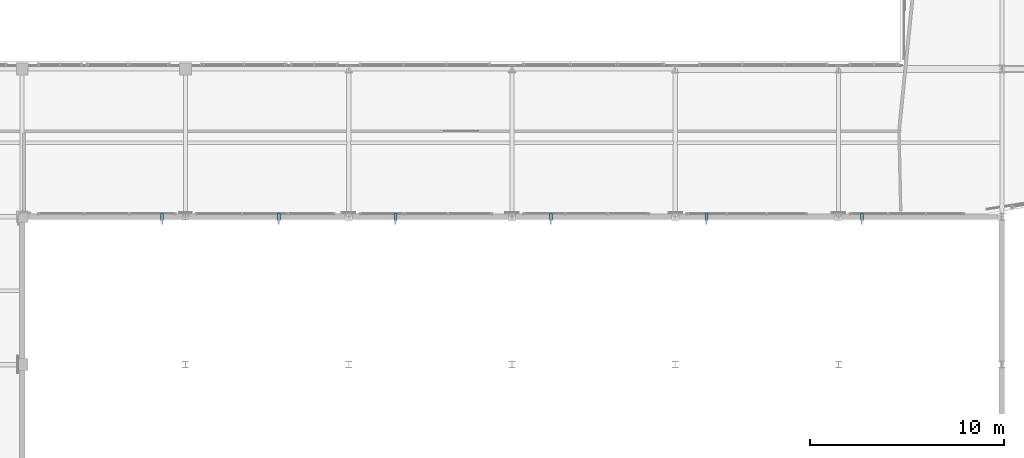
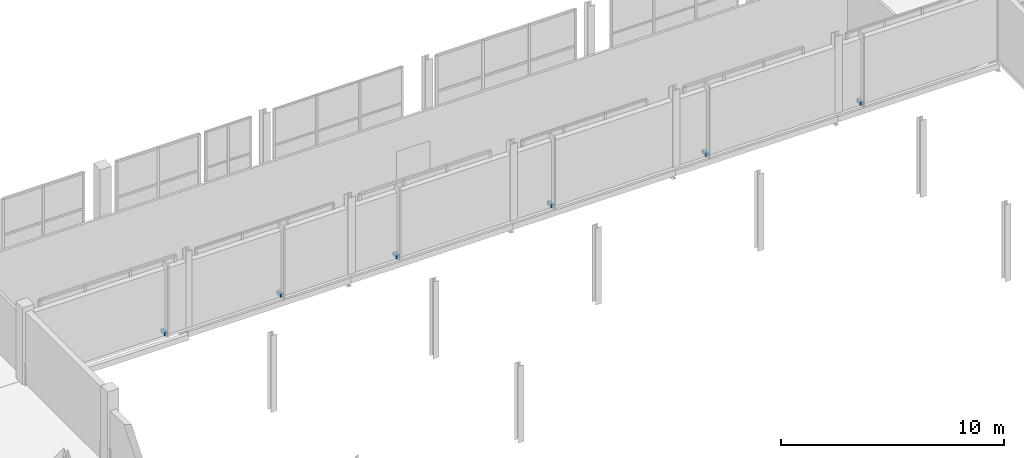
# One storey, part 202 of 217: 6 discrete accessories.
"""IFC4 building model written with IfcOpenShell, lengths in metres."""

from ifc_helpers import new_model, si_unit, direction, frame, origin, origin_2d, place, context, subcontext, project, spatial, rectangle, extrude, material, type_object, element, save


model = new_model("IFC4")

# Units and contexts
model_context = context("Model", 3, precision=1e-05, world=origin(), true_north=direction((0.0, 1.0)))
body_context = subcontext(model_context, "Body", "Model", "MODEL_VIEW")
ifc_project = project(units=[si_unit("LENGTHUNIT", "METRE"), si_unit("AREAUNIT", "SQUARE_METRE"), si_unit("VOLUMEUNIT", "CUBIC_METRE"), si_unit("PLANEANGLEUNIT", "RADIAN"), si_unit("MASSUNIT", "GRAM", prefix="KILO")], contexts=[model_context])

# Site, building, storey
site_placement = place(None, origin())
site = spatial("IfcSite", under=ifc_project, at=site_placement, CompositionType="ELEMENT")
building_placement = place(site_placement, origin())
building = spatial("IfcBuilding", under=site, at=building_placement, Name="Zuvorla Pavilion Media Centre", CompositionType="ELEMENT")
storey_placement = place(building_placement, frame((0.0, 0.0, 9.60009765625)))
storey = spatial("IfcBuildingStorey", under=building, at=storey_placement, Name="L02", CompositionType="ELEMENT", Elevation=9.60009765625)

# Discrete accessories
ifc_material = material(Name="Galvanised steel S355 fixing bracket", Category="steel")
discrete_accessory_type = type_object("IfcDiscreteAccessoryType", Name="ACC-BRK-STL", PredefinedType="BRACKET", material=ifc_material)
for number, where, z_axis, x_axis, name in (
    (1, (116.0, 44.0, -0.01025390625), (0.0, 0.0, 1.0), (1.0, 0.0, 0.0), "L02 brise-soleil bracket 7"),
    (2, (122.0, 44.0, -0.01025390625), (0.0, 0.0, 1.0), (1.0, 0.0, 0.0), "L02 brise-soleil bracket 8"),
    (3, (128.0, 44.0, -0.01025390625), (0.0, 0.0, 1.0), (1.0, 0.0, 0.0), "L02 brise-soleil bracket 9"),
    (4, (136.0, 44.0, -0.01025390625), (0.0, 0.0, 1.0), (1.0, 0.0, 0.0), "L02 brise-soleil bracket 10"),
    (5, (144.0, 44.0, -0.01025390625), (0.0, 0.0, 1.0), (1.0, 0.0, 0.0), "L02 brise-soleil bracket 11"),
    (6, (152.0, 44.0, -0.01025390625), (0.0, 0.0, 1.0), (1.0, 0.0, 0.0), "L02 brise-soleil bracket 12"),
):
    element("IfcDiscreteAccessory", number, at=place(storey_placement, frame(where, z_axis=z_axis, x_axis=x_axis)), inside=storey, type_object=discrete_accessory_type, Name=name, PredefinedType="BRACKET", context=body_context, shape_type="SweptSolid", body=[
        extrude(rectangle(XDim=0.159912109375, YDim=0.360107421875, at=origin_2d()), origin(), (0.0, 0.0, 1.0), 0.179931640625),
    ])

save(model, "model.ifc")
